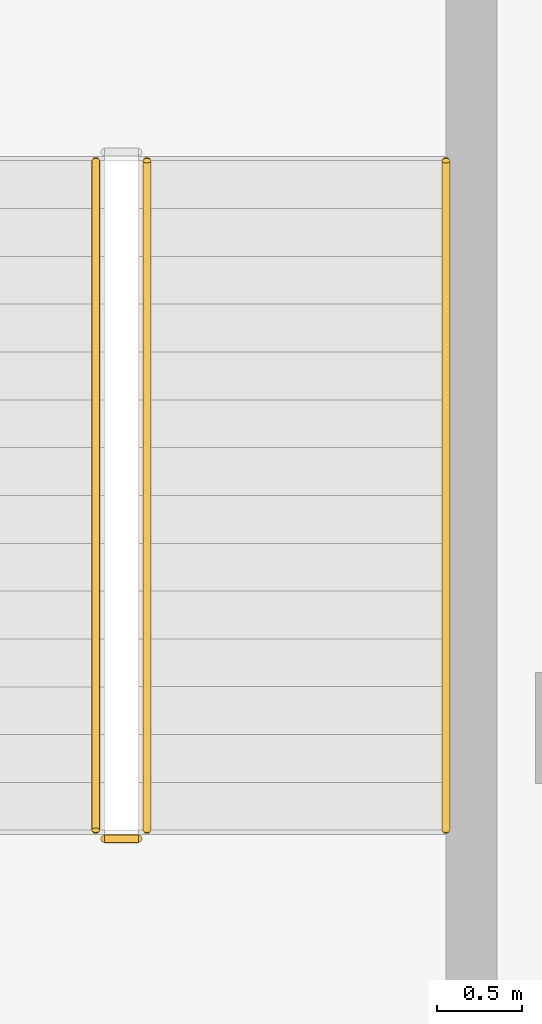
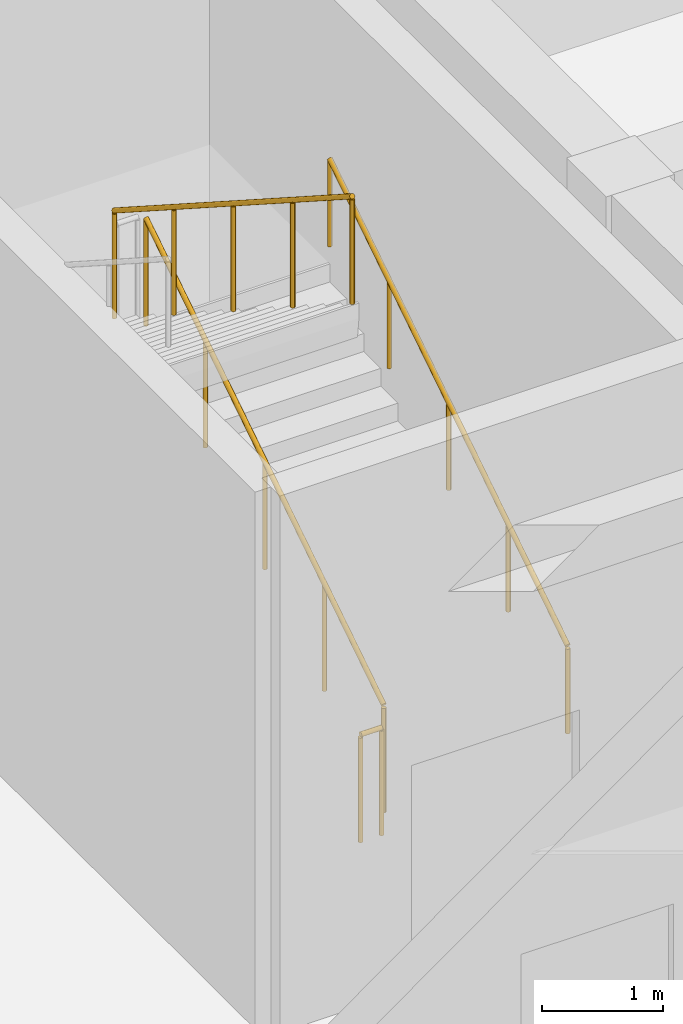
# One storey, part 155 of 167: 4 railings.
"""IFC4 building model written with IfcOpenShell, lengths in metres."""

from ifc_helpers import new_model, si_unit, direction, frame, origin, origin_2d, place, context, subcontext, project, spatial, circle, extrude, material, type_object, element, save


model = new_model("IFC4")

# Units and contexts
model_context = context("Model", 3, precision=1e-05, world=origin(), true_north=direction((0.0, 1.0)))
body_context = subcontext(model_context, "Body", "Model", "MODEL_VIEW")
ifc_project = project(units=[si_unit("LENGTHUNIT", "METRE"), si_unit("AREAUNIT", "SQUARE_METRE"), si_unit("VOLUMEUNIT", "CUBIC_METRE"), si_unit("PLANEANGLEUNIT", "RADIAN"), si_unit("MASSUNIT", "GRAM", prefix="KILO")], contexts=[model_context])

# Site, building, storey
site_placement = place(None, origin())
site = spatial("IfcSite", under=ifc_project, at=site_placement, CompositionType="ELEMENT")
building_placement = place(site_placement, origin())
building = spatial("IfcBuilding", under=site, at=building_placement, Name="Varncliffe General Hospital", CompositionType="ELEMENT")
storey_placement = place(building_placement, origin())
storey = spatial("IfcBuildingStorey", under=building, at=storey_placement, Name="L00", CompositionType="ELEMENT", Elevation=0.0)

# Railings
ifc_material = material(Name="Powder-coated hospital steel guardrail and handrail", Category="steel")
railing_type_1 = type_object("IfcRailingType", Name="Stair and Ramp Handrail HR46", PredefinedType="HANDRAIL", material=ifc_material)
railing_1_placement = place(storey_placement, frame((116.75, 90.60009765625, 0.364013671875)))
element("IfcRailing", 1, at=railing_1_placement, inside=storey, type_object=railing_type_1, Name="L00 ST06 stair handrail 1", PredefinedType="HANDRAIL", context=body_context, shape_type="SweptSolid", body=[
    extrude(circle(Radius=0.02392578125, at=origin_2d()), frame((0.0, 0.0, 0.8759765625), z_axis=(0.0, 0.841171666519, 0.540768182723), x_axis=(-1.0, 0.0, 0.0)), (0.0, 0.0, 1.0), 4.66015625),
    extrude(circle(Radius=0.02099609375, at=origin_2d()), origin(), (0.0, 0.0, 1.0), 0.851806640625),
    extrude(circle(Radius=0.02099609375, at=origin_2d()), frame((0.0, 0.97998046875, 0.6298828125)), (0.0, 0.0, 1.0), 0.851806640625),
    extrude(circle(Radius=0.02099609375, at=origin_2d()), frame((0.0, 1.9599609375, 1.260009765625)), (0.0, 0.0, 1.0), 0.851806640625),
    extrude(circle(Radius=0.02099609375, at=origin_2d()), frame((0.0, 2.93994140625, 1.89013671875)), (0.0, 0.0, 1.0), 0.851806640625),
    extrude(circle(Radius=0.02099609375, at=origin_2d()), frame((0.0, 3.919921875, 2.52001953125)), (0.0, 0.0, 1.0), 0.851806640625),
])
railing_type_2 = type_object("IfcRailingType", Name="Stairwell Guardrail SG49", PredefinedType="GUARDRAIL", material=ifc_material)
railing_2_placement = place(storey_placement, frame((115.0, 90.60009765625, 0.179931640625)))
element("IfcRailing", 2, at=railing_2_placement, inside=storey, type_object=railing_type_2, Name="L00 ST06 stair guard 1", PredefinedType="GUARDRAIL", context=body_context, shape_type="SweptSolid", body=[
    extrude(circle(Radius=0.02392578125, at=origin_2d()), frame((0.0, 0.0, 1.076171875), z_axis=(0.0, 0.841171666519, 0.540768182723), x_axis=(-1.0, 0.0, 0.0)), (0.0, 0.0, 1.0), 4.66015625),
    extrude(circle(Radius=0.02099609375, at=origin_2d()), origin(), (0.0, 0.0, 1.0), 1.052001953125),
    extrude(circle(Radius=0.02099609375, at=origin_2d()), frame((0.0, 0.97998046875, 0.6298828125)), (0.0, 0.0, 1.0), 1.052001953125),
    extrude(circle(Radius=0.02099609375, at=origin_2d()), frame((0.0, 1.9599609375, 1.260009765625)), (0.0, 0.0, 1.0), 1.052001953125),
    extrude(circle(Radius=0.02099609375, at=origin_2d()), frame((0.0, 2.93994140625, 1.89013671875)), (0.0, 0.0, 1.0), 1.052001953125),
    extrude(circle(Radius=0.02099609375, at=origin_2d()), frame((0.0, 3.919921875, 2.52001953125)), (0.0, 0.0, 1.0), 1.052001953125),
])
railing_3_placement = place(storey_placement, frame((114.699951171875, 94.52001953125, 2.8798828125)))
element("IfcRailing", 3, at=railing_3_placement, inside=storey, type_object=railing_type_2, Name="L00 ST06 stair guard 3", PredefinedType="GUARDRAIL", context=body_context, shape_type="SweptSolid", body=[
    extrude(circle(Radius=0.02392578125, at=origin_2d()), frame((0.0, 0.0, 1.076171875), z_axis=(0.0, -0.841171666519, 0.540768182723), x_axis=(1.0, 0.0, 0.0)), (0.0, 0.0, 1.0), 4.66015625),
    extrude(circle(Radius=0.02099609375, at=origin_2d()), origin(), (0.0, 0.0, 1.0), 1.052001953125),
    extrude(circle(Radius=0.02099609375, at=origin_2d()), frame((0.0, -0.97998046875, 0.6298828125)), (0.0, 0.0, 1.0), 1.052001953125),
    extrude(circle(Radius=0.02099609375, at=origin_2d()), frame((0.0, -1.9599609375, 1.260009765625)), (0.0, 0.0, 1.0), 1.052001953125),
    extrude(circle(Radius=0.02099609375, at=origin_2d()), frame((0.0, -2.93994140625, 1.89013671875)), (0.0, 0.0, 1.0), 1.052001953125),
    extrude(circle(Radius=0.02099609375, at=origin_2d()), frame((0.0, -3.919921875, 2.52001953125)), (0.0, 0.0, 1.0), 1.052001953125),
])
railing_4_placement = place(storey_placement, frame((114.949951171875, 90.550048828125, 0.0)))
element("IfcRailing", 4, at=railing_4_placement, inside=storey, type_object=railing_type_2, Name="L00 ST06 stair guard 4", PredefinedType="GUARDRAIL", context=body_context, shape_type="SweptSolid", body=[
    extrude(circle(Radius=0.02392578125, at=origin_2d()), frame((0.0, 0.0, 1.076171875), z_axis=(-1.0, 0.0, 0.0), x_axis=(0.0, -1.0, 0.0)), (0.0, 0.0, 1.0), 0.199951171875),
    extrude(circle(Radius=0.02099609375, at=origin_2d()), origin(), (0.0, 0.0, 1.0), 1.052001953125),
    extrude(circle(Radius=0.02099609375, at=origin_2d()), frame((-0.199951171875, 0.0, 0.0)), (0.0, 0.0, 1.0), 1.052001953125),
])

save(model, "model.ifc")
